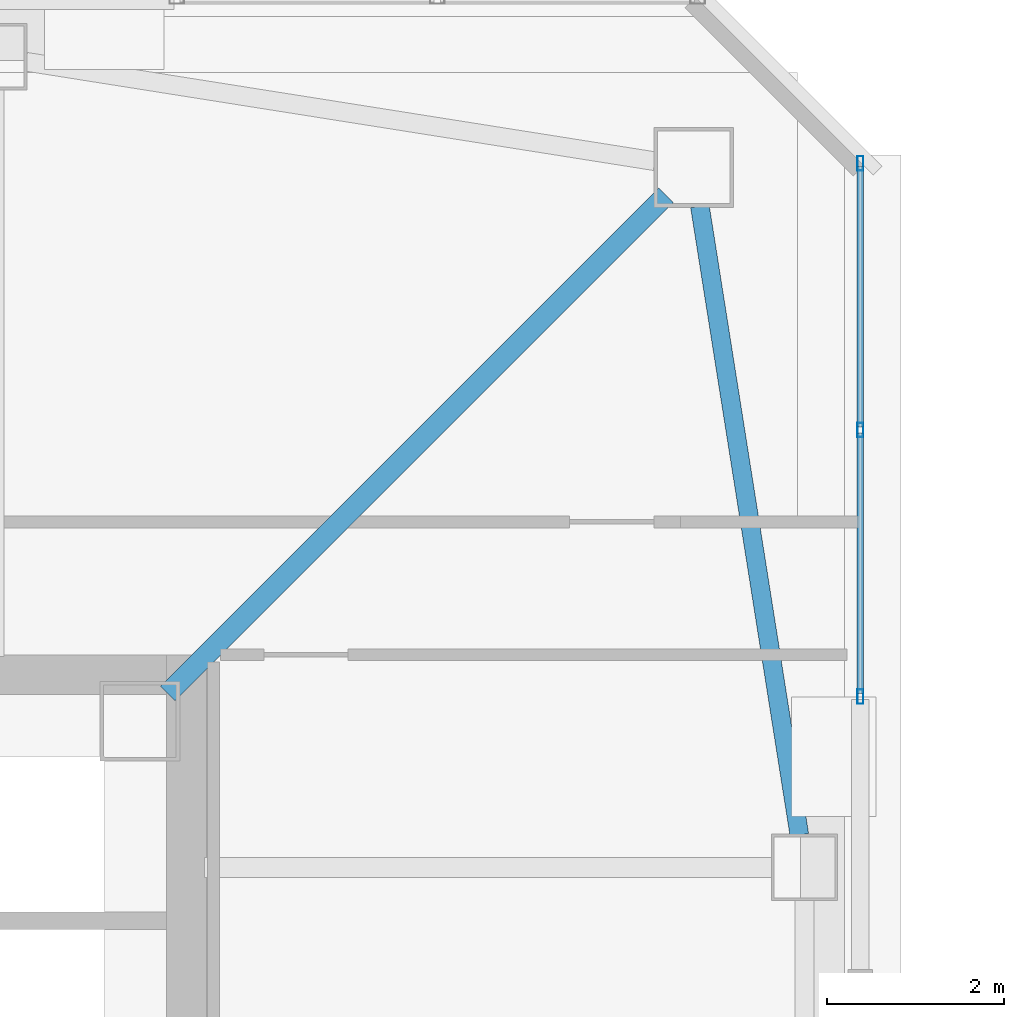
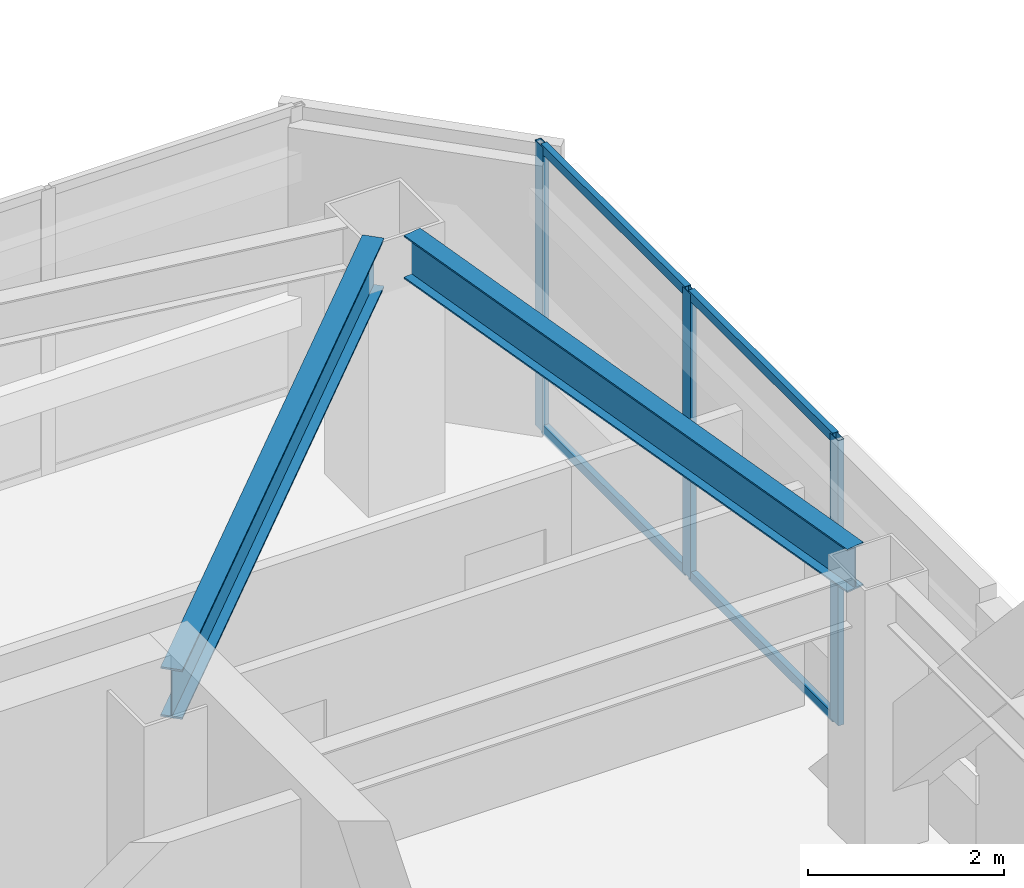
# One storey, part 13 of 24: 7 members, 2 beams, 1 element without a shape of its own.
"""IFC4 building model written with IfcOpenShell, lengths in metres."""

from ifc_helpers import new_model, si_unit, direction, frame, origin, origin_2d, place, context, subcontext, project, spatial, hollow_rectangle, i_section, extrude, material, material_profile, profile_set, type_object, element, aggregate, save


model = new_model("IFC4")

# Units and contexts
model_context = context("Model", 3, precision=1e-05, world=origin(), true_north=direction((0.0, 1.0)))
body_context = subcontext(model_context, "Body", "Model", "MODEL_VIEW")
ifc_project = project(units=[si_unit("LENGTHUNIT", "METRE"), si_unit("AREAUNIT", "SQUARE_METRE"), si_unit("VOLUMEUNIT", "CUBIC_METRE"), si_unit("PLANEANGLEUNIT", "RADIAN"), si_unit("MASSUNIT", "GRAM", prefix="KILO")], contexts=[model_context])

# Site, building, storey
site_placement = place(None, origin())
site = spatial("IfcSite", under=ifc_project, at=site_placement, CompositionType="ELEMENT")
building_placement = place(site_placement, origin())
building = spatial("IfcBuilding", under=site, at=building_placement, Name="Tashvorn Skyway Center", CompositionType="ELEMENT")
storey_placement = place(building_placement, frame((0.0, 0.0, 270.5)))
storey = spatial("IfcBuildingStorey", under=building, at=storey_placement, Name="L73", CompositionType="ELEMENT", Elevation=270.5)

# Beams
ifc_material_1 = material(Name="Steel ASTM A992 Grade 50", Category="steel")
ifc_material_profile_1 = material_profile(ifc_material_1, i_section(OverallWidth=0.22998046875, OverallDepth=0.616943359375, WebThickness=0.01318359375, FlangeThickness=0.022216796875, at=origin_2d()), Name="W24X94")
ifc_profile_set_1 = profile_set([ifc_material_profile_1], Name="Steel ASTM A992 Grade 50")
beam_type_1 = type_object("IfcBeamType", Name="BM-BEAM-W24X94", PredefinedType="BEAM", material=ifc_profile_set_1)
beam_1_placement = place(storey_placement, frame((54.9853515625, 44.9853515625, 3.0615234375), z_axis=(-0.707106781187, -0.707106781187, 0.0), x_axis=(0.707106781187, -0.707106781187, 0.0)))
element("IfcBeam", 1, at=beam_1_placement, inside=storey, type_object=beam_type_1, Name="Tower 1 L73 Primary Floor Girder MC-NE", PredefinedType="BEAM", context=body_context, shape_type="SweptSolid", body=[
    extrude(i_section(OverallWidth=0.22998046875, OverallDepth=0.616943359375, WebThickness=0.01318359375, FlangeThickness=0.022216796875, at=origin_2d()), origin(), (0.0, 0.0, 1.0), 7.94873046875),
])
ifc_material_profile_2 = material_profile(ifc_material_1, i_section(OverallWidth=0.2109375, OverallDepth=0.5390625, WebThickness=0.01171875, FlangeThickness=0.018798828125, at=origin_2d()), Name="W21X73")
ifc_profile_set_2 = profile_set([ifc_material_profile_2], Name="Steel ASTM A992 Grade 50")
beam_type_2 = type_object("IfcBeamType", Name="BM-SPANDREL-W21X73", PredefinedType="SPANDREL", material=ifc_profile_set_2)
beam_2_placement = place(storey_placement, frame((56.4921875, 37.765380859375, 3.1005859375), z_axis=(-0.156274976, 0.987713587978, 0.0), x_axis=(-0.987713587978, -0.156274976, 0.0)))
element("IfcBeam", 2, at=beam_2_placement, inside=storey, type_object=beam_type_2, Name="Tower 1 L73 Spandrel Beam 06", PredefinedType="SPANDREL", context=body_context, shape_type="SweptSolid", body=[
    extrude(i_section(OverallWidth=0.2109375, OverallDepth=0.5390625, WebThickness=0.01171875, FlangeThickness=0.018798828125, at=origin_2d()), origin(), (0.0, 0.0, 1.0), 7.18310546875),
])

# Curtain wall, members
ifc_material_2 = material(Name="Thermally broken bronze-anodized aluminium 6063-T6", Category="aluminium")
curtain_wall_type = type_object("IfcCurtainWallType", Name="CW-CW-Z5", PredefinedType="NOTDEFINED", material=ifc_material_2)
curtain_wall_placement = place(storey_placement, origin())
curtain_wall = element("IfcCurtainWall", 3, at=curtain_wall_placement, inside=storey, type_object=curtain_wall_type, Name="Tower 1 L73 East Curtain Wall L Glazing Group 1", PredefinedType="NOTDEFINED")
ifc_material_profile_3 = material_profile(ifc_material_2, hollow_rectangle(XDim=0.070068359375, YDim=0.1650390625, WallThickness=0.00390625, at=origin_2d()), Name="ALU-MULL-70x165")
ifc_profile_set_3 = profile_set([ifc_material_profile_3], Name="Thermally broken bronze-anodized aluminium 6063-T6")
member_type_1 = type_object("IfcMemberType", Name="CWM-CW-Z5", PredefinedType="MULLION", material=ifc_profile_set_3)
member_1_placement = place(storey_placement, frame((57.179931640625, 45.344970703125, 0.0), z_axis=(0.0, 0.0, 1.0), x_axis=(1.0, 0.0, 0.0)))
member_1 = element("IfcMember", 4, at=member_1_placement, type_object=member_type_1, Name="CW-Z5 mullion 1", PredefinedType="MULLION", context=body_context, shape_type="SweptSolid", body=[
    extrude(hollow_rectangle(XDim=0.070068359375, YDim=0.1650390625, WallThickness=0.00390625, at=origin_2d()), origin(), (0.0, 0.0, 1.0), 3.550048828125),
])
member_2_placement = place(storey_placement, frame((57.179931640625, 42.336669921875, 0.0), z_axis=(0.0, 0.0, 1.0), x_axis=(1.0, 0.0, 0.0)))
member_2 = element("IfcMember", 5, at=member_2_placement, type_object=member_type_1, Name="CW-Z5 mullion 2", PredefinedType="MULLION", context=body_context, shape_type="SweptSolid", body=[
    extrude(hollow_rectangle(XDim=0.070068359375, YDim=0.1650390625, WallThickness=0.00390625, at=origin_2d()), origin(), (0.0, 0.0, 1.0), 3.550048828125),
])
member_3_placement = place(storey_placement, frame((57.179931640625, 39.328369140625, 0.0), z_axis=(0.0, 0.0, 1.0), x_axis=(1.0, 0.0, 0.0)))
member_3 = element("IfcMember", 6, at=member_3_placement, type_object=member_type_1, Name="CW-Z5 mullion 3", PredefinedType="MULLION", context=body_context, shape_type="SweptSolid", body=[
    extrude(hollow_rectangle(XDim=0.070068359375, YDim=0.1650390625, WallThickness=0.00390625, at=origin_2d()), origin(), (0.0, 0.0, 1.0), 3.550048828125),
])
ifc_material_profile_4 = material_profile(ifc_material_2, hollow_rectangle(XDim=0.070068359375, YDim=0.114990234375, WallThickness=0.00390625, at=origin_2d()), Name="ALU-TRAN-70x115")
ifc_profile_set_4 = profile_set([ifc_material_profile_4], Name="Thermally broken bronze-anodized aluminium 6063-T6")
member_type_2 = type_object("IfcMemberType", Name="CWT-CW-Z5", PredefinedType="USERDEFINED", material=ifc_profile_set_4)
member_4_placement = place(storey_placement, frame((57.179931640625, 45.31005859375, 0.034912109375), z_axis=(0.0, -1.0, 0.0), x_axis=(1.0, 0.0, 0.0)))
member_4 = element("IfcMember", 7, at=member_4_placement, type_object=member_type_2, Name="CW-Z5 transom 1.1", ObjectType="TRANSOM", PredefinedType="USERDEFINED", context=body_context, shape_type="SweptSolid", body=[
    extrude(hollow_rectangle(XDim=0.070068359375, YDim=0.114990234375, WallThickness=0.00390625, at=origin_2d()), origin(), (0.0, 0.0, 1.0), 2.9384765625),
])
member_5_placement = place(storey_placement, frame((57.179931640625, 45.31005859375, 3.514892578125), z_axis=(0.0, -1.0, 0.0), x_axis=(1.0, 0.0, 0.0)))
member_5 = element("IfcMember", 8, at=member_5_placement, type_object=member_type_2, Name="CW-Z5 transom 1.2", ObjectType="TRANSOM", PredefinedType="USERDEFINED", context=body_context, shape_type="SweptSolid", body=[
    extrude(hollow_rectangle(XDim=0.070068359375, YDim=0.114990234375, WallThickness=0.00390625, at=origin_2d()), origin(), (0.0, 0.0, 1.0), 2.9384765625),
])
member_6_placement = place(storey_placement, frame((57.179931640625, 42.3017578125, 0.034912109375), z_axis=(0.0, -1.0, 0.0), x_axis=(1.0, 0.0, 0.0)))
member_6 = element("IfcMember", 9, at=member_6_placement, type_object=member_type_2, Name="CW-Z5 transom 2.1", ObjectType="TRANSOM", PredefinedType="USERDEFINED", context=body_context, shape_type="SweptSolid", body=[
    extrude(hollow_rectangle(XDim=0.070068359375, YDim=0.114990234375, WallThickness=0.00390625, at=origin_2d()), origin(), (0.0, 0.0, 1.0), 2.9384765625),
])
member_7_placement = place(storey_placement, frame((57.179931640625, 42.3017578125, 3.514892578125), z_axis=(0.0, -1.0, 0.0), x_axis=(1.0, 0.0, 0.0)))
member_7 = element("IfcMember", 10, at=member_7_placement, type_object=member_type_2, Name="CW-Z5 transom 2.2", ObjectType="TRANSOM", PredefinedType="USERDEFINED", context=body_context, shape_type="SweptSolid", body=[
    extrude(hollow_rectangle(XDim=0.070068359375, YDim=0.114990234375, WallThickness=0.00390625, at=origin_2d()), origin(), (0.0, 0.0, 1.0), 2.9384765625),
])
aggregate(curtain_wall, [member_1, member_2, member_3, member_4, member_5, member_6, member_7])

save(model, "model.ifc")
